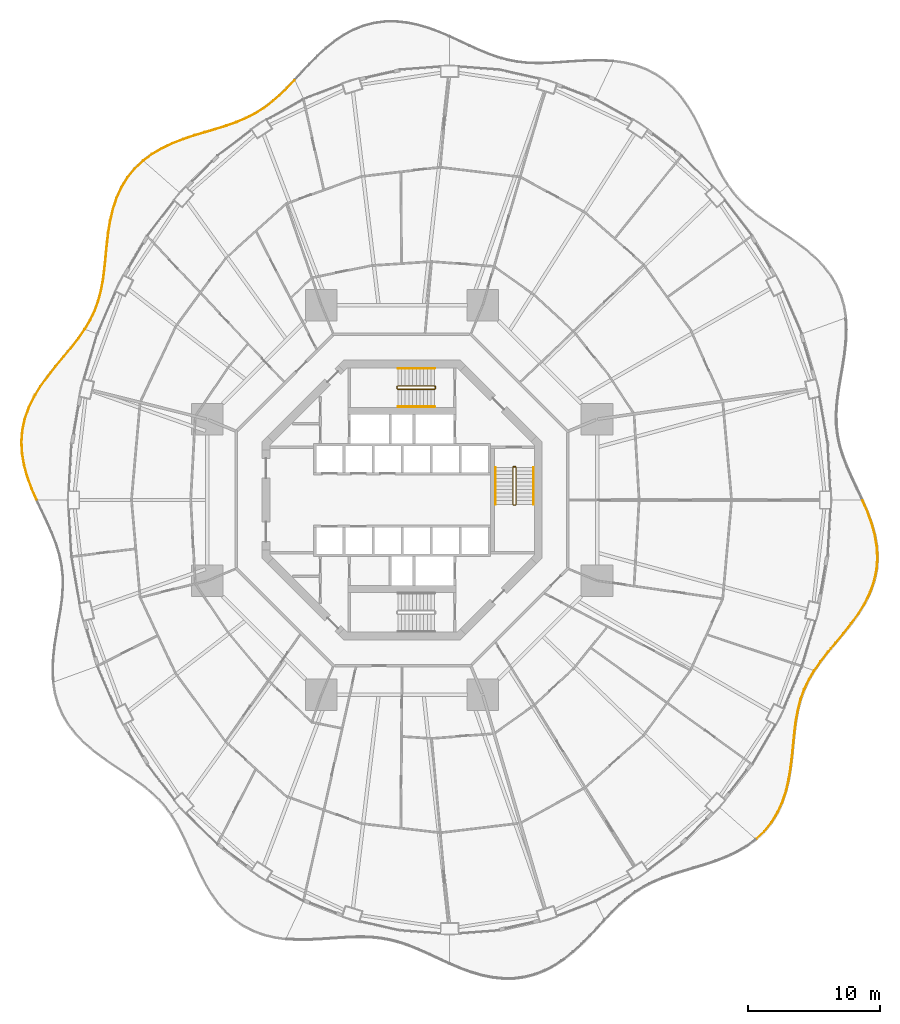
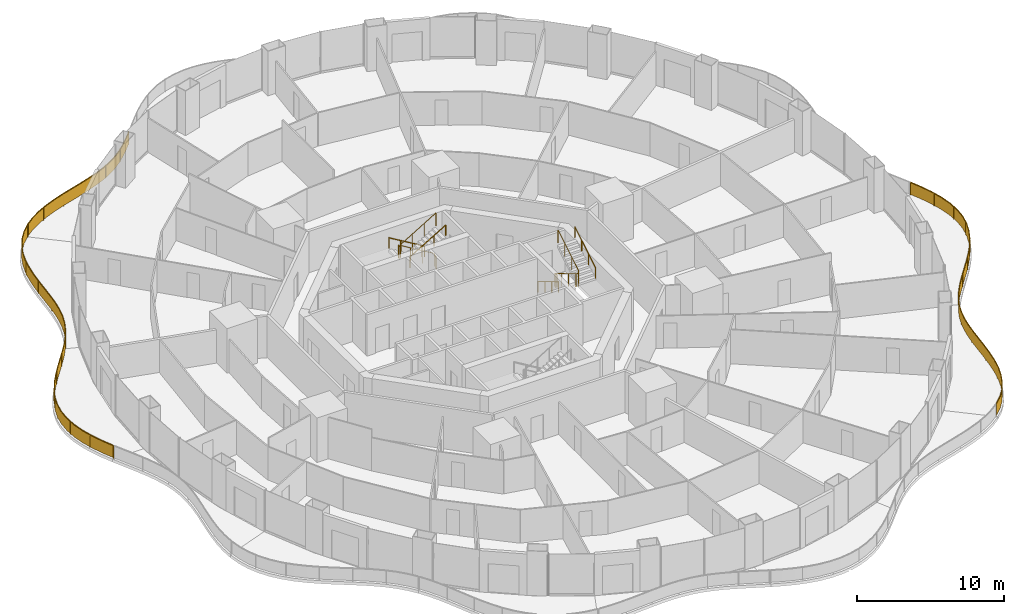
# One storey, part 21 of 22: 11 railings.
"""IFC4 building model written with IfcOpenShell, lengths in metres."""

from ifc_helpers import new_model, si_unit, direction, frame, origin, origin_2d, place, context, subcontext, project, spatial, polyline, rectangle, circle, outline, extrude, material, type_object, element, save


model = new_model("IFC4")

# Units and contexts
model_context = context("Model", 3, precision=1e-05, world=origin(), true_north=direction((0.0, 1.0)))
body_context = subcontext(model_context, "Body", "Model", "MODEL_VIEW")
ifc_project = project(units=[si_unit("LENGTHUNIT", "METRE"), si_unit("AREAUNIT", "SQUARE_METRE"), si_unit("VOLUMEUNIT", "CUBIC_METRE"), si_unit("PLANEANGLEUNIT", "RADIAN"), si_unit("MASSUNIT", "GRAM", prefix="KILO")], contexts=[model_context])

# Site, building, storey
site_placement = place(None, origin())
site = spatial("IfcSite", under=ifc_project, at=site_placement, CompositionType="ELEMENT")
building_placement = place(site_placement, origin())
building = spatial("IfcBuilding", under=site, at=building_placement, Name="Nagisa Residences", CompositionType="ELEMENT")
storey_placement = place(building_placement, frame((0.0, 0.0, 38.10009765625)))
storey = spatial("IfcBuildingStorey", under=building, at=storey_placement, Name="L08", CompositionType="ELEMENT", Elevation=38.10009765625)

# Railings
ifc_material_1 = material(Name="Stainless steel 316", Category="steel")
railing_type_1 = type_object("IfcRailingType", Name="BALCONY GUARD 1100", PredefinedType="BALUSTRADE", material=ifc_material_1)
railing_1_placement = place(storey_placement, frame((-8.16552734375, 31.82373046875, 0.0)))
element("IfcRailing", 1, at=railing_1_placement, inside=storey, type_object=railing_type_1, Name="guard:L08:bal05-0", PredefinedType="BALUSTRADE", context=body_context, shape_type="SweptSolid", body=[
    extrude(outline(polyline([(-0.526611328125, -0.591796875), (0.01806640625, -0.017333984375), (-0.01806640625, 0.017333984375), (-0.562255859375, -0.556640625), (-1.141845703125, -1.12255859375), (-1.7353515625, -1.63818359375), (-2.35302734375, -2.0986328125), (-3.001953125, -2.50244140625), (-3.67431640625, -2.84423828125), (-4.400146484375, -3.1494140625), (-5.163818359375, -3.42041015625), (-5.96142578125, -3.67041015625), (-6.78369140625, -3.9150390625), (-7.60791015625, -4.15966796875), (-8.4443359375, -4.44140625), (-9.265869140625, -4.763671875), (-10.056396484375, -5.138916015625), (-10.80078125, -5.576416015625), (-11.447998046875, -6.052490234375), (-11.418212890625, -6.093017578125), (-10.7734375, -5.618408203125), (-10.032958984375, -5.183349609375), (-9.245849609375, -4.8095703125), (-8.42724609375, -4.48828125), (-7.5927734375, -4.20751953125), (-6.76953125, -3.962890625), (-5.94677734375, -3.71826171875), (-5.148193359375, -3.4677734375), (-4.382080078125, -3.1962890625), (-3.6533203125, -2.8896484375), (-2.9775390625, -2.5458984375), (-2.32470703125, -2.14013671875), (-1.7041015625, -1.67724609375), (-1.108154296875, -1.1591796875), (-0.526611328125, -0.591796875)])), frame((0.0, 0.0, 1.050048828125)), (0.0, 0.0, 1.0), 0.050048828125),
    extrude(outline(polyline([(-0.53955078125, -0.5791015625), (0.005126953125, -0.0048828125), (-0.005126953125, 0.0048828125), (-0.54931640625, -0.5693359375), (-1.129638671875, -1.1357421875), (-1.72412109375, -1.65234375), (-2.3427734375, -2.113525390625), (-2.9931640625, -2.51806640625), (-3.666748046875, -2.860595703125), (-4.3935546875, -3.166259765625), (-5.158203125, -3.4375), (-5.9560546875, -3.687744140625), (-6.778564453125, -3.932373046875), (-7.6025390625, -4.177001953125), (-8.438232421875, -4.458251953125), (-9.258544921875, -4.7802734375), (-10.0478515625, -5.155029296875), (-10.791015625, -5.591552734375), (-11.437255859375, -6.067138671875), (-11.428955078125, -6.078369140625), (-10.783203125, -5.603271484375), (-10.04150390625, -5.167236328125), (-9.253173828125, -4.79296875), (-8.433349609375, -4.471435546875), (-7.59814453125, -4.190185546875), (-6.774658203125, -3.945556640625), (-5.9521484375, -3.700927734375), (-5.15380859375, -3.45068359375), (-4.388671875, -3.179443359375), (-3.660888671875, -2.873291015625), (-2.986328125, -2.5302734375), (-2.3349609375, -2.125244140625), (-1.71533203125, -1.6630859375), (-1.120361328125, -1.14599609375), (-0.53955078125, -0.5791015625)])), frame((0.0, 0.0, 0.06005859375)), (0.0, 0.0, 1.0), 0.989990234375),
    extrude(rectangle(XDim=0.0400390625, YDim=0.0400390625, at=origin_2d()), origin(), (0.0, 0.0, 1.0), 1.050048828125),
    extrude(rectangle(XDim=0.0400390625, YDim=0.0400390625, at=origin_2d()), frame((-1.568359375, -1.526123046875, 0.0)), (0.0, 0.0, 1.0), 1.050048828125),
    extrude(rectangle(XDim=0.0400390625, YDim=0.0400390625, at=origin_2d()), frame((-3.39111328125, -2.728271484375, 0.0)), (0.0, 0.0, 1.0), 1.050048828125),
    extrude(rectangle(XDim=0.0400390625, YDim=0.0400390625, at=origin_2d()), frame((-5.42626953125, -3.52880859375, 0.0)), (0.0, 0.0, 1.0), 1.050048828125),
    extrude(rectangle(XDim=0.0400390625, YDim=0.0400390625, at=origin_2d()), frame((-7.52294921875, -4.16064453125, 0.0)), (0.0, 0.0, 1.0), 1.050048828125),
    extrude(rectangle(XDim=0.0400390625, YDim=0.0400390625, at=origin_2d()), frame((-9.56884765625, -4.935302734375, 0.0)), (0.0, 0.0, 1.0), 1.050048828125),
    extrude(rectangle(XDim=0.0400390625, YDim=0.0400390625, at=origin_2d()), frame((-11.43310546875, -6.07275390625, 0.0)), (0.0, 0.0, 1.0), 1.050048828125),
])
railing_2_placement = place(storey_placement, frame((-19.658203125, 25.70166015625, 0.0)))
element("IfcRailing", 2, at=railing_2_placement, inside=storey, type_object=railing_type_1, Name="guard:L08:bal06-0", PredefinedType="BALUSTRADE", context=body_context, shape_type="SweptSolid", body=[
    extrude(outline(polyline([(-0.587890625, -0.58837890625), (0.01708984375, -0.018310546875), (-0.01708984375, 0.018310546875), (-0.62451171875, -0.55419921875), (-1.178466796875, -1.235595703125), (-1.639892578125, -1.98583984375), (-2.009765625, -2.79541015625), (-2.293701171875, -3.65234375), (-2.49462890625, -4.52978515625), (-2.644287109375, -5.43798828125), (-2.7529296875, -6.349853515625), (-2.841552734375, -7.25244140625), (-2.931396484375, -8.134521484375), (-3.0361328125, -8.97509765625), (-3.18798828125, -9.79541015625), (-3.39453125, -10.579833984375), (-3.666748046875, -11.3310546875), (-4.00927734375, -12.052734375), (-4.40087890625, -12.7158203125), (-4.35791015625, -12.7412109375), (-3.96484375, -12.076171875), (-3.620361328125, -11.3505859375), (-3.3466796875, -10.594970703125), (-3.13916015625, -9.80615234375), (-2.98681640625, -8.98291015625), (-2.881591796875, -8.140380859375), (-2.791748046875, -7.25732421875), (-2.703125, -6.355224609375), (-2.594482421875, -5.44482421875), (-2.4453125, -4.53955078125), (-2.245361328125, -3.666015625), (-1.962890625, -2.81396484375), (-1.595458984375, -2.00927734375), (-1.137451171875, -1.264404296875), (-0.587890625, -0.58837890625)])), frame((0.0, 0.0, 1.050048828125)), (0.0, 0.0, 1.0), 0.050048828125),
    extrude(outline(polyline([(-0.60107421875, -0.576171875), (0.0048828125, -0.005126953125), (-0.0048828125, 0.005126953125), (-0.611328125, -0.56640625), (-1.16357421875, -1.245849609375), (-1.623779296875, -1.994140625), (-1.992919921875, -2.80224609375), (-2.2763671875, -3.6572265625), (-2.476806640625, -4.533203125), (-2.626220703125, -5.4404296875), (-2.735107421875, -6.351806640625), (-2.82373046875, -7.254150390625), (-2.913330078125, -8.13671875), (-3.018310546875, -8.97802734375), (-3.17041015625, -9.79931640625), (-3.377197265625, -10.585205078125), (-3.64990234375, -11.338134765625), (-3.9931640625, -12.061279296875), (-4.385498046875, -12.724853515625), (-4.373291015625, -12.732177734375), (-3.98095703125, -12.067626953125), (-3.63720703125, -11.343505859375), (-3.364013671875, -10.589599609375), (-3.15673828125, -9.80224609375), (-3.004638671875, -8.97998046875), (-2.899658203125, -8.13818359375), (-2.8095703125, -7.255615234375), (-2.720947265625, -6.353271484375), (-2.612548828125, -5.4423828125), (-2.463134765625, -4.5361328125), (-2.2626953125, -3.6611328125), (-1.979736328125, -2.80712890625), (-1.611572265625, -2.0009765625), (-1.15234375, -1.254150390625), (-0.60107421875, -0.576171875)])), frame((0.0, 0.0, 0.06005859375)), (0.0, 0.0, 1.0), 0.989990234375),
    extrude(rectangle(XDim=0.0400390625, YDim=0.0400390625, at=origin_2d()), origin(), (0.0, 0.0, 1.0), 1.050048828125),
    extrude(rectangle(XDim=0.0400390625, YDim=0.0400390625, at=origin_2d()), frame((-1.4658203125, -1.750732421875, 0.0)), (0.0, 0.0, 1.0), 1.050048828125),
    extrude(rectangle(XDim=0.0400390625, YDim=0.0400390625, at=origin_2d()), frame((-2.318115234375, -3.87158203125, 0.0)), (0.0, 0.0, 1.0), 1.050048828125),
    extrude(rectangle(XDim=0.0400390625, YDim=0.0400390625, at=origin_2d()), frame((-2.701904296875, -6.1328125, 0.0)), (0.0, 0.0, 1.0), 1.050048828125),
    extrude(rectangle(XDim=0.0400390625, YDim=0.0400390625, at=origin_2d()), frame((-2.941162109375, -8.41552734375, 0.0)), (0.0, 0.0, 1.0), 1.050048828125),
    extrude(rectangle(XDim=0.0400390625, YDim=0.0400390625, at=origin_2d()), frame((-3.397216796875, -10.6611328125, 0.0)), (0.0, 0.0, 1.0), 1.050048828125),
    extrude(rectangle(XDim=0.0400390625, YDim=0.0400390625, at=origin_2d()), frame((-4.37939453125, -12.728515625, 0.0)), (0.0, 0.0, 1.0), 1.050048828125),
])
railing_3_placement = place(storey_placement, frame((-24.077880859375, 12.914306640625, 0.0)))
element("IfcRailing", 3, at=railing_3_placement, inside=storey, type_object=railing_type_1, Name="guard:L08:bal07-0", PredefinedType="BALUSTRADE", context=body_context, shape_type="SweptSolid", body=[
    extrude(outline(polyline([(-0.44970703125, -0.687255859375), (0.0205078125, -0.014404296875), (-0.0205078125, 0.014404296875), (-0.48974609375, -0.657470703125), (-1.037353515625, -1.3583984375), (-1.621337890625, -2.063720703125), (-2.218994140625, -2.7822265625), (-2.8056640625, -3.52197265625), (-3.351806640625, -4.274169921875), (-3.83984375, -5.069091796875), (-4.24365234375, -5.893310546875), (-4.546142578125, -6.744384765625), (-4.73486328125, -7.61767578125), (-4.80322265625, -8.4931640625), (-4.755615234375, -9.39111328125), (-4.599609375, -10.2900390625), (-4.35009765625, -11.18310546875), (-4.026611328125, -12.06494140625), (-3.66943359375, -12.889404296875), (-3.62353515625, -12.869384765625), (-3.980224609375, -12.04638671875), (-4.30224609375, -11.16796875), (-4.55078125, -10.27880859375), (-4.705810546875, -9.38525390625), (-4.7529296875, -8.49365234375), (-4.68505859375, -7.625), (-4.497802734375, -6.758056640625), (-4.197265625, -5.912841796875), (-3.7958984375, -5.093017578125), (-3.310302734375, -4.302001953125), (-2.765625, -3.55224609375), (-2.179931640625, -2.81396484375), (-1.582763671875, -2.095458984375), (-0.998291015625, -1.3896484375), (-0.44970703125, -0.687255859375)])), frame((0.0, 0.0, 1.050048828125)), (0.0, 0.0, 1.0), 0.050048828125),
    extrude(outline(polyline([(-0.464111328125, -0.676513671875), (0.005859375, -0.00390625), (-0.005859375, 0.00390625), (-0.475341796875, -0.668212890625), (-1.023193359375, -1.36962890625), (-1.607421875, -2.0751953125), (-2.204833984375, -2.793701171875), (-2.791259765625, -3.532958984375), (-3.3369140625, -4.2841796875), (-3.823974609375, -5.07763671875), (-4.226806640625, -5.900390625), (-4.52880859375, -6.749267578125), (-4.716796875, -7.620361328125), (-4.78515625, -8.493408203125), (-4.73779296875, -9.388916015625), (-4.58203125, -10.285888671875), (-4.332763671875, -11.177734375), (-4.010009765625, -12.058349609375), (-3.65283203125, -12.882080078125), (-3.64013671875, -12.876708984375), (-3.996826171875, -12.052978515625), (-4.319580078125, -11.17333984375), (-4.568359375, -10.282958984375), (-4.7236328125, -9.387451171875), (-4.77099609375, -8.493408203125), (-4.703125, -7.622314453125), (-4.51513671875, -6.753173828125), (-4.214111328125, -5.90576171875), (-3.811767578125, -5.08447265625), (-3.3251953125, -4.2919921875), (-2.780029296875, -3.541259765625), (-2.194091796875, -2.802490234375), (-1.5966796875, -2.083984375), (-1.012451171875, -1.37841796875), (-0.464111328125, -0.676513671875)])), frame((0.0, 0.0, 0.06005859375)), (0.0, 0.0, 1.0), 0.989990234375),
    extrude(rectangle(XDim=0.0400390625, YDim=0.0400390625, at=origin_2d()), origin(), (0.0, 0.0, 1.0), 1.050048828125),
    extrude(rectangle(XDim=0.0400390625, YDim=0.0400390625, at=origin_2d()), frame((-1.248779296875, -1.653076171875, 0.0)), (0.0, 0.0, 1.0), 1.050048828125),
    extrude(rectangle(XDim=0.0400390625, YDim=0.0400390625, at=origin_2d()), frame((-2.562744140625, -3.256103515625, 0.0)), (0.0, 0.0, 1.0), 1.050048828125),
    extrude(rectangle(XDim=0.0400390625, YDim=0.0400390625, at=origin_2d()), frame((-3.7421875, -4.957763671875, 0.0)), (0.0, 0.0, 1.0), 1.050048828125),
    extrude(rectangle(XDim=0.0400390625, YDim=0.0400390625, at=origin_2d()), frame((-4.545654296875, -6.861328125, 0.0)), (0.0, 0.0, 1.0), 1.050048828125),
    extrude(rectangle(XDim=0.0400390625, YDim=0.0400390625, at=origin_2d()), frame((-4.755859375, -8.913330078125, 0.0)), (0.0, 0.0, 1.0), 1.050048828125),
    extrude(rectangle(XDim=0.0400390625, YDim=0.0400390625, at=origin_2d()), frame((-4.39013671875, -10.94677734375, 0.0)), (0.0, 0.0, 1.0), 1.050048828125),
    extrude(rectangle(XDim=0.0400390625, YDim=0.0400390625, at=origin_2d()), frame((-3.646484375, -12.87939453125, 0.0)), (0.0, 0.0, 1.0), 1.050048828125),
])
railing_4_placement = place(storey_placement, frame((26.858154296875, -25.70166015625, 0.0)))
element("IfcRailing", 4, at=railing_4_placement, inside=storey, type_object=railing_type_1, Name="guard:L08:bal14-0", PredefinedType="BALUSTRADE", context=body_context, shape_type="SweptSolid", body=[
    extrude(outline(polyline([(0.587890625, 0.58837890625), (-0.01708984375, 0.018310546875), (0.01708984375, -0.018310546875), (0.62451171875, 0.55419921875), (1.178466796875, 1.235595703125), (1.639892578125, 1.98583984375), (2.009765625, 2.79541015625), (2.293701171875, 3.65234375), (2.49462890625, 4.52978515625), (2.644287109375, 5.43798828125), (2.753173828125, 6.349853515625), (2.841796875, 7.25244140625), (2.931396484375, 8.134521484375), (3.036376953125, 8.97509765625), (3.18798828125, 9.79541015625), (3.39453125, 10.579833984375), (3.666748046875, 11.3310546875), (4.00927734375, 12.052734375), (4.401123046875, 12.7158203125), (4.358154296875, 12.7412109375), (3.96484375, 12.076171875), (3.620361328125, 11.3505859375), (3.3466796875, 10.594970703125), (3.13916015625, 9.80615234375), (2.987060546875, 8.98291015625), (2.881591796875, 8.140380859375), (2.7919921875, 7.25732421875), (2.703369140625, 6.355224609375), (2.594482421875, 5.44482421875), (2.4453125, 4.53955078125), (2.245361328125, 3.666015625), (1.962890625, 2.81396484375), (1.595458984375, 2.00927734375), (1.137451171875, 1.264404296875), (0.587890625, 0.58837890625)])), frame((0.0, 0.0, 1.050048828125)), (0.0, 0.0, 1.0), 0.050048828125),
    extrude(outline(polyline([(0.60107421875, 0.576171875), (-0.0048828125, 0.005126953125), (0.0048828125, -0.005126953125), (0.611328125, 0.56640625), (1.16357421875, 1.245849609375), (1.623779296875, 1.994140625), (1.992919921875, 2.80224609375), (2.2763671875, 3.6572265625), (2.476806640625, 4.533203125), (2.626220703125, 5.4404296875), (2.7353515625, 6.351806640625), (2.823974609375, 7.254150390625), (2.913330078125, 8.13671875), (3.0185546875, 8.97802734375), (3.17041015625, 9.79931640625), (3.377197265625, 10.585205078125), (3.64990234375, 11.338134765625), (3.9931640625, 12.061279296875), (4.3857421875, 12.724853515625), (4.37353515625, 12.732177734375), (3.98095703125, 12.067626953125), (3.63720703125, 11.343505859375), (3.364013671875, 10.589599609375), (3.15673828125, 9.80224609375), (3.0048828125, 8.97998046875), (2.899658203125, 8.13818359375), (2.809814453125, 7.255615234375), (2.72119140625, 6.353271484375), (2.612548828125, 5.4423828125), (2.463134765625, 4.5361328125), (2.2626953125, 3.6611328125), (1.979736328125, 2.80712890625), (1.611572265625, 2.0009765625), (1.15234375, 1.254150390625), (0.60107421875, 0.576171875)])), frame((0.0, 0.0, 0.06005859375)), (0.0, 0.0, 1.0), 0.989990234375),
    extrude(rectangle(XDim=0.0400390625, YDim=0.0400390625, at=origin_2d()), origin(), (0.0, 0.0, 1.0), 1.050048828125),
    extrude(rectangle(XDim=0.0400390625, YDim=0.0400390625, at=origin_2d()), frame((1.4658203125, 1.750732421875, 0.0)), (0.0, 0.0, 1.0), 1.050048828125),
    extrude(rectangle(XDim=0.0400390625, YDim=0.0400390625, at=origin_2d()), frame((2.318115234375, 3.87158203125, 0.0)), (0.0, 0.0, 1.0), 1.050048828125),
    extrude(rectangle(XDim=0.0400390625, YDim=0.0400390625, at=origin_2d()), frame((2.701904296875, 6.1328125, 0.0)), (0.0, 0.0, 1.0), 1.050048828125),
    extrude(rectangle(XDim=0.0400390625, YDim=0.0400390625, at=origin_2d()), frame((2.941162109375, 8.41552734375, 0.0)), (0.0, 0.0, 1.0), 1.050048828125),
    extrude(rectangle(XDim=0.0400390625, YDim=0.0400390625, at=origin_2d()), frame((3.397216796875, 10.6611328125, 0.0)), (0.0, 0.0, 1.0), 1.050048828125),
    extrude(rectangle(XDim=0.0400390625, YDim=0.0400390625, at=origin_2d()), frame((4.379638671875, 12.728515625, 0.0)), (0.0, 0.0, 1.0), 1.050048828125),
])
railing_5_placement = place(storey_placement, frame((31.27783203125, -12.914306640625, 0.0)))
element("IfcRailing", 5, at=railing_5_placement, inside=storey, type_object=railing_type_1, Name="guard:L08:bal15-0", PredefinedType="BALUSTRADE", context=body_context, shape_type="SweptSolid", body=[
    extrude(outline(polyline([(0.44970703125, 0.687255859375), (-0.0205078125, 0.014404296875), (0.0205078125, -0.014404296875), (0.48974609375, 0.657470703125), (1.037353515625, 1.3583984375), (1.621337890625, 2.063720703125), (2.21923828125, 2.7822265625), (2.8056640625, 3.52197265625), (3.351806640625, 4.274169921875), (3.83984375, 5.069091796875), (4.24365234375, 5.893310546875), (4.546142578125, 6.744384765625), (4.73486328125, 7.61767578125), (4.80322265625, 8.4931640625), (4.755859375, 9.39111328125), (4.599609375, 10.2900390625), (4.35009765625, 11.18310546875), (4.026611328125, 12.06494140625), (3.66943359375, 12.889404296875), (3.62353515625, 12.869384765625), (3.980224609375, 12.04638671875), (4.30224609375, 11.16796875), (4.55078125, 10.27880859375), (4.7060546875, 9.38525390625), (4.7529296875, 8.49365234375), (4.68505859375, 7.625), (4.497802734375, 6.758056640625), (4.197265625, 5.912841796875), (3.7958984375, 5.093017578125), (3.310302734375, 4.302001953125), (2.765625, 3.55224609375), (2.18017578125, 2.81396484375), (1.582763671875, 2.095458984375), (0.998291015625, 1.3896484375), (0.44970703125, 0.687255859375)])), frame((0.0, 0.0, 1.050048828125)), (0.0, 0.0, 1.0), 0.050048828125),
    extrude(outline(polyline([(0.464111328125, 0.676513671875), (-0.005859375, 0.00390625), (0.005859375, -0.00390625), (0.475341796875, 0.668212890625), (1.023193359375, 1.36962890625), (1.607421875, 2.0751953125), (2.205078125, 2.793701171875), (2.791259765625, 3.532958984375), (3.3369140625, 4.2841796875), (3.823974609375, 5.07763671875), (4.226806640625, 5.900390625), (4.52880859375, 6.749267578125), (4.716796875, 7.620361328125), (4.78515625, 8.493408203125), (4.738037109375, 9.388916015625), (4.58203125, 10.285888671875), (4.332763671875, 11.177734375), (4.010009765625, 12.058349609375), (3.65283203125, 12.882080078125), (3.64013671875, 12.876708984375), (3.996826171875, 12.052978515625), (4.319580078125, 11.17333984375), (4.568359375, 10.282958984375), (4.723876953125, 9.387451171875), (4.77099609375, 8.493408203125), (4.703125, 7.622314453125), (4.51513671875, 6.753173828125), (4.214111328125, 5.90576171875), (3.811767578125, 5.08447265625), (3.3251953125, 4.2919921875), (2.780029296875, 3.541259765625), (2.1943359375, 2.802490234375), (1.5966796875, 2.083984375), (1.012451171875, 1.37841796875), (0.464111328125, 0.676513671875)])), frame((0.0, 0.0, 0.06005859375)), (0.0, 0.0, 1.0), 0.989990234375),
    extrude(rectangle(XDim=0.0400390625, YDim=0.0400390625, at=origin_2d()), origin(), (0.0, 0.0, 1.0), 1.050048828125),
    extrude(rectangle(XDim=0.0400390625, YDim=0.0400390625, at=origin_2d()), frame((1.248779296875, 1.653076171875, 0.0)), (0.0, 0.0, 1.0), 1.050048828125),
    extrude(rectangle(XDim=0.0400390625, YDim=0.0400390625, at=origin_2d()), frame((2.562744140625, 3.256103515625, 0.0)), (0.0, 0.0, 1.0), 1.050048828125),
    extrude(rectangle(XDim=0.0400390625, YDim=0.0400390625, at=origin_2d()), frame((3.7421875, 4.957763671875, 0.0)), (0.0, 0.0, 1.0), 1.050048828125),
    extrude(rectangle(XDim=0.0400390625, YDim=0.0400390625, at=origin_2d()), frame((4.5458984375, 6.861328125, 0.0)), (0.0, 0.0, 1.0), 1.050048828125),
    extrude(rectangle(XDim=0.0400390625, YDim=0.0400390625, at=origin_2d()), frame((4.755859375, 8.913330078125, 0.0)), (0.0, 0.0, 1.0), 1.050048828125),
    extrude(rectangle(XDim=0.0400390625, YDim=0.0400390625, at=origin_2d()), frame((4.39013671875, 10.94677734375, 0.0)), (0.0, 0.0, 1.0), 1.050048828125),
    extrude(rectangle(XDim=0.0400390625, YDim=0.0400390625, at=origin_2d()), frame((3.646484375, 12.87939453125, 0.0)), (0.0, 0.0, 1.0), 1.050048828125),
])
ifc_material_2 = material(Name="Stainless steel", Category="steel")
railing_type_2 = type_object("IfcRailingType", Name="Stair guard 1100", PredefinedType="GUARDRAIL", material=ifc_material_2)
railing_6_placement = place(storey_placement, frame((8.599609375, 2.52490234375, 0.0)))
element("IfcRailing", 6, at=railing_6_placement, inside=storey, type_object=railing_type_2, Name="L08 ST-E stair guard 1", PredefinedType="GUARDRAIL", context=body_context, shape_type="SweptSolid", body=[
    extrude(circle(Radius=0.02392578125, at=origin_2d()), frame((0.0, 0.0, 1.076171875), z_axis=(-1.0, 0.0, 0.0), x_axis=(0.0, -1.0, 0.0)), (0.0, 0.0, 1.0), 0.14990234375),
    extrude(circle(Radius=0.02392578125, at=origin_2d()), frame((-0.14990234375, 0.0, 1.076171875), z_axis=(-0.274683208305, -0.273343290215, 0.921863645432), x_axis=(0.705375805398, -0.708833529934, 0.0)), (0.0, 0.0, 1.0), 0.18212890625),
    extrude(circle(Radius=0.02392578125, at=origin_2d()), frame((-0.199951171875, -0.0498046875, 1.244140625), z_axis=(0.0, -0.857242210791, 0.514913383045), x_axis=(1.0, 0.0, 0.0)), (0.0, 0.0, 1.0), 3.266357421875),
    extrude(circle(Radius=0.02392578125, at=origin_2d()), frame((-0.199951171875, -2.849853515625, 2.92578125), z_axis=(0.707106781187, -0.707106781187, 0.0), x_axis=(0.707106781187, 0.707106781187, 0.0)), (0.0, 0.0, 1.0), 0.07080078125),
    extrude(circle(Radius=0.02392578125, at=origin_2d()), frame((-0.14990234375, -2.89990234375, 2.92578125), z_axis=(1.0, 0.0, 0.0), x_axis=(0.0, 1.0, 0.0)), (0.0, 0.0, 1.0), 0.14990234375),
    extrude(circle(Radius=0.02392578125, at=origin_2d()), frame((0.0, -2.89990234375, 2.92578125), z_axis=(0.274243871929, 0.274243871929, 0.92172696468), x_axis=(-0.707106781187, 0.707106781187, 0.0)), (0.0, 0.0, 1.0), 0.1826171875),
    extrude(circle(Radius=0.02392578125, at=origin_2d()), frame((0.050048828125, -2.849853515625, 3.09423828125), z_axis=(0.0, 0.857242210791, 0.514913383045), x_axis=(-1.0, 0.0, 0.0)), (0.0, 0.0, 1.0), 3.266357421875),
    extrude(circle(Radius=0.02099609375, at=origin_2d()), origin(), (0.0, 0.0, 1.0), 1.052001953125),
    extrude(circle(Radius=0.02099609375, at=origin_2d()), frame((-0.14990234375, 0.0, 0.0)), (0.0, 0.0, 1.0), 1.052001953125),
    extrude(circle(Radius=0.02099609375, at=origin_2d()), frame((-0.199951171875, -0.0498046875, 0.16796875)), (0.0, 0.0, 1.0), 1.052001953125),
    extrude(circle(Radius=0.02099609375, at=origin_2d()), frame((-0.199951171875, -0.983154296875, 0.728515625)), (0.0, 0.0, 1.0), 1.052001953125),
    extrude(circle(Radius=0.02099609375, at=origin_2d()), frame((-0.199951171875, -1.91650390625, 1.289306640625)), (0.0, 0.0, 1.0), 1.052001953125),
    extrude(circle(Radius=0.02099609375, at=origin_2d()), frame((-0.199951171875, -2.849853515625, 1.849853515625)), (0.0, 0.0, 1.0), 1.052001953125),
    extrude(circle(Radius=0.02099609375, at=origin_2d()), frame((-0.14990234375, -2.89990234375, 1.849853515625)), (0.0, 0.0, 1.0), 1.052001953125),
    extrude(circle(Radius=0.02099609375, at=origin_2d()), frame((0.0, -2.89990234375, 1.849853515625)), (0.0, 0.0, 1.0), 1.052001953125),
    extrude(circle(Radius=0.02099609375, at=origin_2d()), frame((0.050048828125, -2.849853515625, 2.01806640625)), (0.0, 0.0, 1.0), 1.052001953125),
    extrude(circle(Radius=0.02099609375, at=origin_2d()), frame((0.050048828125, -1.91650390625, 2.57861328125)), (0.0, 0.0, 1.0), 1.052001953125),
    extrude(circle(Radius=0.02099609375, at=origin_2d()), frame((0.050048828125, -0.983154296875, 3.139404296875)), (0.0, 0.0, 1.0), 1.052001953125),
    extrude(circle(Radius=0.02099609375, at=origin_2d()), frame((0.050048828125, -0.0498046875, 3.699951171875)), (0.0, 0.0, 1.0), 1.052001953125),
])
railing_7_placement = place(storey_placement, frame((2.52490234375, 8.44970703125, 0.0)))
element("IfcRailing", 7, at=railing_7_placement, inside=storey, type_object=railing_type_2, Name="L08 ST-N stair guard 1", PredefinedType="GUARDRAIL", context=body_context, shape_type="SweptSolid", body=[
    extrude(circle(Radius=0.02392578125, at=origin_2d()), frame((0.0, 0.0, 1.076171875), z_axis=(0.0, 1.0, 0.0), x_axis=(-1.0, 0.0, 0.0)), (0.0, 0.0, 1.0), 0.14990234375),
    extrude(circle(Radius=0.02392578125, at=origin_2d()), frame((0.0, 0.14990234375, 1.076171875), z_axis=(-0.273343290215, 0.274683208305, 0.921863645432), x_axis=(-0.708833529934, -0.705375805398, 0.0)), (0.0, 0.0, 1.0), 0.18212890625),
    extrude(circle(Radius=0.02392578125, at=origin_2d()), frame((-0.0498046875, 0.199951171875, 1.244140625), z_axis=(-0.857242210791, 0.0, 0.514913383045), x_axis=(0.0, -1.0, 0.0)), (0.0, 0.0, 1.0), 3.266357421875),
    extrude(circle(Radius=0.02392578125, at=origin_2d()), frame((-2.849853515625, 0.199951171875, 2.92578125), z_axis=(-0.707106781187, -0.707106781187, 0.0), x_axis=(0.707106781187, -0.707106781187, 0.0)), (0.0, 0.0, 1.0), 0.07080078125),
    extrude(circle(Radius=0.02392578125, at=origin_2d()), frame((-2.89990234375, 0.14990234375, 2.92578125), z_axis=(0.0, -1.0, 0.0), x_axis=(1.0, 0.0, 0.0)), (0.0, 0.0, 1.0), 0.14990234375),
    extrude(circle(Radius=0.02392578125, at=origin_2d()), frame((-2.89990234375, 0.0, 2.92578125), z_axis=(0.274243871929, -0.274243871929, 0.92172696468), x_axis=(0.707106781187, 0.707106781187, 0.0)), (0.0, 0.0, 1.0), 0.1826171875),
    extrude(circle(Radius=0.02392578125, at=origin_2d()), frame((-2.849853515625, -0.050048828125, 3.09423828125), z_axis=(0.857242210791, 0.0, 0.514913383045), x_axis=(0.0, 1.0, 0.0)), (0.0, 0.0, 1.0), 3.266357421875),
    extrude(circle(Radius=0.02099609375, at=origin_2d()), origin(), (0.0, 0.0, 1.0), 1.052001953125),
    extrude(circle(Radius=0.02099609375, at=origin_2d()), frame((0.0, 0.14990234375, 0.0)), (0.0, 0.0, 1.0), 1.052001953125),
    extrude(circle(Radius=0.02099609375, at=origin_2d()), frame((-0.0498046875, 0.199951171875, 0.16796875)), (0.0, 0.0, 1.0), 1.052001953125),
    extrude(circle(Radius=0.02099609375, at=origin_2d()), frame((-0.983154296875, 0.199951171875, 0.728515625)), (0.0, 0.0, 1.0), 1.052001953125),
    extrude(circle(Radius=0.02099609375, at=origin_2d()), frame((-1.91650390625, 0.199951171875, 1.289306640625)), (0.0, 0.0, 1.0), 1.052001953125),
    extrude(circle(Radius=0.02099609375, at=origin_2d()), frame((-2.849853515625, 0.199951171875, 1.849853515625)), (0.0, 0.0, 1.0), 1.052001953125),
    extrude(circle(Radius=0.02099609375, at=origin_2d()), frame((-2.89990234375, 0.14990234375, 1.849853515625)), (0.0, 0.0, 1.0), 1.052001953125),
    extrude(circle(Radius=0.02099609375, at=origin_2d()), frame((-2.89990234375, 0.0, 1.849853515625)), (0.0, 0.0, 1.0), 1.052001953125),
    extrude(circle(Radius=0.02099609375, at=origin_2d()), frame((-2.849853515625, -0.050048828125, 2.01806640625)), (0.0, 0.0, 1.0), 1.052001953125),
    extrude(circle(Radius=0.02099609375, at=origin_2d()), frame((-1.91650390625, -0.050048828125, 2.57861328125)), (0.0, 0.0, 1.0), 1.052001953125),
    extrude(circle(Radius=0.02099609375, at=origin_2d()), frame((-0.983154296875, -0.050048828125, 3.139404296875)), (0.0, 0.0, 1.0), 1.052001953125),
    extrude(circle(Radius=0.02099609375, at=origin_2d()), frame((-0.0498046875, -0.050048828125, 3.699951171875)), (0.0, 0.0, 1.0), 1.052001953125),
])
ifc_material_3 = material(Name="Stainless steel", Category="steel")
railing_type_3 = type_object("IfcRailingType", Name="Stair handrail 900", PredefinedType="HANDRAIL", material=ifc_material_3)
railing_8_placement = place(storey_placement, frame((7.07470703125, 2.47509765625, 0.16796875)))
element("IfcRailing", 8, at=railing_8_placement, inside=storey, type_object=railing_type_3, Name="L08 ST-E stair handrail 1", PredefinedType="HANDRAIL", context=body_context, shape_type="SweptSolid", body=[
    extrude(circle(Radius=0.02392578125, at=origin_2d()), frame((0.0, 0.0, 0.8759765625), z_axis=(0.0, -0.857242210791, 0.514913383045), x_axis=(1.0, 0.0, 0.0)), (0.0, 0.0, 1.0), 3.266357421875),
    extrude(circle(Radius=0.02099609375, at=origin_2d()), origin(), (0.0, 0.0, 1.0), 0.851806640625),
    extrude(circle(Radius=0.02099609375, at=origin_2d()), frame((0.0, -0.933349609375, 0.560546875)), (0.0, 0.0, 1.0), 0.851806640625),
    extrude(circle(Radius=0.02099609375, at=origin_2d()), frame((0.0, -1.86669921875, 1.121337890625)), (0.0, 0.0, 1.0), 0.851806640625),
    extrude(circle(Radius=0.02099609375, at=origin_2d()), frame((0.0, -2.800048828125, 1.681884765625)), (0.0, 0.0, 1.0), 0.851806640625),
])
railing_9_placement = place(storey_placement, frame((9.974609375, -0.324951171875, 2.01806640625)))
element("IfcRailing", 9, at=railing_9_placement, inside=storey, type_object=railing_type_3, Name="L08 ST-E stair handrail 2", PredefinedType="HANDRAIL", context=body_context, shape_type="SweptSolid", body=[
    extrude(circle(Radius=0.02392578125, at=origin_2d()), frame((0.0, 0.0, 0.8759765625), z_axis=(0.0, 0.857242210791, 0.514913383045), x_axis=(-1.0, 0.0, 0.0)), (0.0, 0.0, 1.0), 3.266357421875),
    extrude(circle(Radius=0.02099609375, at=origin_2d()), origin(), (0.0, 0.0, 1.0), 0.851806640625),
    extrude(circle(Radius=0.02099609375, at=origin_2d()), frame((0.0, 0.933349609375, 0.560546875)), (0.0, 0.0, 1.0), 0.851806640625),
    extrude(circle(Radius=0.02099609375, at=origin_2d()), frame((0.0, 1.86669921875, 1.121337890625)), (0.0, 0.0, 1.0), 0.851806640625),
    extrude(circle(Radius=0.02099609375, at=origin_2d()), frame((0.0, 2.800048828125, 1.681884765625)), (0.0, 0.0, 1.0), 0.851806640625),
])
railing_10_placement = place(storey_placement, frame((2.47509765625, 9.974609375, 0.16796875)))
element("IfcRailing", 10, at=railing_10_placement, inside=storey, type_object=railing_type_3, Name="L08 ST-N stair handrail 1", PredefinedType="HANDRAIL", context=body_context, shape_type="SweptSolid", body=[
    extrude(circle(Radius=0.02392578125, at=origin_2d()), frame((0.0, 0.0, 0.8759765625), z_axis=(-0.857242210791, 0.0, 0.514913383045), x_axis=(0.0, -1.0, 0.0)), (0.0, 0.0, 1.0), 3.266357421875),
    extrude(circle(Radius=0.02099609375, at=origin_2d()), origin(), (0.0, 0.0, 1.0), 0.851806640625),
    extrude(circle(Radius=0.02099609375, at=origin_2d()), frame((-0.933349609375, 0.0, 0.560546875)), (0.0, 0.0, 1.0), 0.851806640625),
    extrude(circle(Radius=0.02099609375, at=origin_2d()), frame((-1.86669921875, 0.0, 1.121337890625)), (0.0, 0.0, 1.0), 0.851806640625),
    extrude(circle(Radius=0.02099609375, at=origin_2d()), frame((-2.800048828125, 0.0, 1.681884765625)), (0.0, 0.0, 1.0), 0.851806640625),
])
railing_11_placement = place(storey_placement, frame((-0.324951171875, 7.07470703125, 2.01806640625)))
element("IfcRailing", 11, at=railing_11_placement, inside=storey, type_object=railing_type_3, Name="L08 ST-N stair handrail 2", PredefinedType="HANDRAIL", context=body_context, shape_type="SweptSolid", body=[
    extrude(circle(Radius=0.02392578125, at=origin_2d()), frame((0.0, 0.0, 0.8759765625), z_axis=(0.857242210791, 0.0, 0.514913383045), x_axis=(0.0, 1.0, 0.0)), (0.0, 0.0, 1.0), 3.266357421875),
    extrude(circle(Radius=0.02099609375, at=origin_2d()), origin(), (0.0, 0.0, 1.0), 0.851806640625),
    extrude(circle(Radius=0.02099609375, at=origin_2d()), frame((0.933349609375, 0.0, 0.560546875)), (0.0, 0.0, 1.0), 0.851806640625),
    extrude(circle(Radius=0.02099609375, at=origin_2d()), frame((1.86669921875, 0.0, 1.121337890625)), (0.0, 0.0, 1.0), 0.851806640625),
    extrude(circle(Radius=0.02099609375, at=origin_2d()), frame((2.800048828125, 0.0, 1.681884765625)), (0.0, 0.0, 1.0), 0.851806640625),
])

save(model, "model.ifc")
